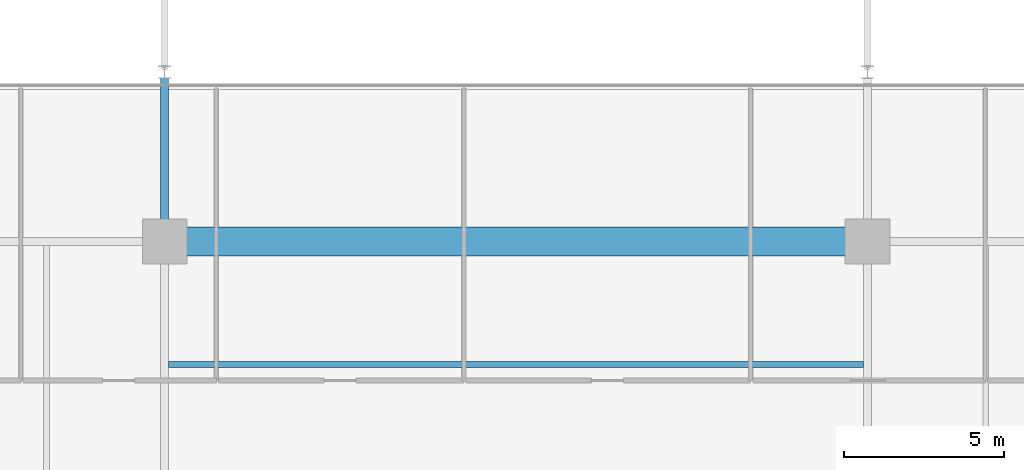
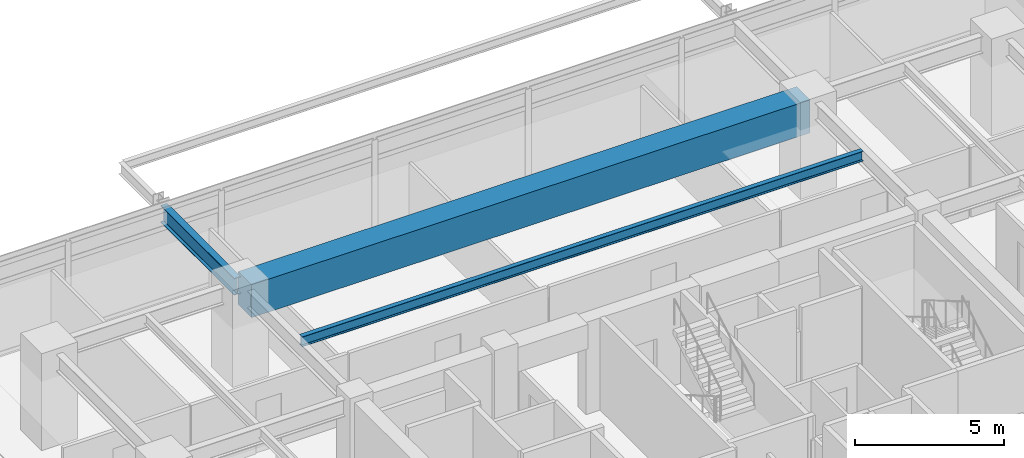
# One storey, part 9 of 21: 3 beams.
"""IFC4 building model written with IfcOpenShell, lengths in metres."""

from ifc_helpers import new_model, si_unit, direction, frame, origin, origin_2d, place, context, subcontext, project, spatial, rectangle, i_section, extrude, material, material_profile, profile_set, type_object, element, save


model = new_model("IFC4")

# Units and contexts
model_context = context("Model", 3, precision=1e-05, world=origin(), true_north=direction((0.0, 1.0)))
body_context = subcontext(model_context, "Body", "Model", "MODEL_VIEW")
ifc_project = project(units=[si_unit("LENGTHUNIT", "METRE"), si_unit("AREAUNIT", "SQUARE_METRE"), si_unit("VOLUMEUNIT", "CUBIC_METRE"), si_unit("PLANEANGLEUNIT", "RADIAN"), si_unit("MASSUNIT", "GRAM", prefix="KILO")], contexts=[model_context])

# Site, building, storey
site_placement = place(None, origin())
site = spatial("IfcSite", under=ifc_project, at=site_placement, CompositionType="ELEMENT")
building_placement = place(site_placement, origin())
building = spatial("IfcBuilding", under=site, at=building_placement, Name="Kovane Verandah Tower", CompositionType="ELEMENT")
storey_placement = place(building_placement, frame((0.0, 0.0, 205.199951171875)))
storey = spatial("IfcBuildingStorey", under=building, at=storey_placement, Name="L47", CompositionType="ELEMENT", Elevation=205.199951171875)

# Beams
ifc_material_1 = material(Name="Concrete C80/95", Category="concrete")
ifc_material_profile_1 = material_profile(ifc_material_1, rectangle(XDim=0.89990234375, YDim=1.35009765625, at=origin_2d()), Name="RCB900x1350")
ifc_profile_set_1 = profile_set([ifc_material_profile_1], Name="Concrete C80/95")
beam_type_1 = type_object("IfcBeamType", Name="BM-TR-900x1350", PredefinedType="BEAM", material=ifc_profile_set_1)
beam_1_placement = place(storey_placement, frame((29.179931640625, 44.199951171875, 3.10009765625), z_axis=(1.0, 0.0, 0.0), x_axis=(0.0, 1.0, 0.0)))
element("IfcBeam", 1, at=beam_1_placement, inside=storey, type_object=beam_type_1, Name="L47 Primary Tower Girder G-RN2", PredefinedType="BEAM", context=body_context, shape_type="SweptSolid", body=[
    extrude(rectangle(XDim=0.89990234375, YDim=1.35009765625, at=origin_2d()), origin(), (0.0, 0.0, 1.0), 21.64013671875),
])
ifc_material_2 = material(Name="Steel S355", Category="steel")
ifc_material_profile_2 = material_profile(ifc_material_2, i_section(OverallWidth=0.255859375, OverallDepth=0.69287109375, WebThickness=0.014404296875, FlangeThickness=0.023681640625, FilletRadius=0.01513671875, at=origin_2d()), Name="UB686x254x170")
ifc_profile_set_2 = profile_set([ifc_material_profile_2], Name="Steel S355")
beam_type_2 = type_object("IfcBeamType", Name="BM-UB686x170", PredefinedType="BEAM", material=ifc_profile_set_2)
beam_2_placement = place(storey_placement, frame((29.0, 44.3798828125, 3.41357421875), z_axis=(0.0, 1.0, 0.0), x_axis=(-1.0, 0.0, 0.0)))
element("IfcBeam", 2, at=beam_2_placement, inside=storey, type_object=beam_type_2, Name="L47 Primary Tower Girder G-VN1", PredefinedType="BEAM", context=body_context, shape_type="SweptSolid", body=[
    extrude(i_section(OverallWidth=0.255859375, OverallDepth=0.69287109375, WebThickness=0.014404296875, FlangeThickness=0.023681640625, FilletRadius=0.01513671875, at=origin_2d()), origin(), (0.0, 0.0, 1.0), 4.940185546875),
])
ifc_material_profile_3 = material_profile(ifc_material_2, i_section(OverallWidth=0.179443359375, OverallDepth=0.412841796875, WebThickness=0.009521484375, FlangeThickness=0.01611328125, FilletRadius=0.01025390625, at=origin_2d()), Name="UB406x178x74")
ifc_profile_set_3 = profile_set([ifc_material_profile_3], Name="Steel S355")
beam_type_3 = type_object("IfcBeamType", Name="JST-UB406x74", PredefinedType="JOIST", material=ifc_profile_set_3)
beam_3_placement = place(storey_placement, frame((29.1259765625, 40.35009765625, 3.568603515625), z_axis=(1.0, 0.0, 0.0), x_axis=(0.0, 1.0, 0.0)))
element("IfcBeam", 3, at=beam_3_placement, inside=storey, type_object=beam_type_3, Name="L47 Secondary Composite Joist J-N1", PredefinedType="JOIST", context=body_context, shape_type="SweptSolid", body=[
    extrude(i_section(OverallWidth=0.179443359375, OverallDepth=0.412841796875, WebThickness=0.009521484375, FlangeThickness=0.01611328125, FilletRadius=0.01025390625, at=origin_2d()), origin(), (0.0, 0.0, 1.0), 21.748046875),
])

save(model, "model.ifc")
